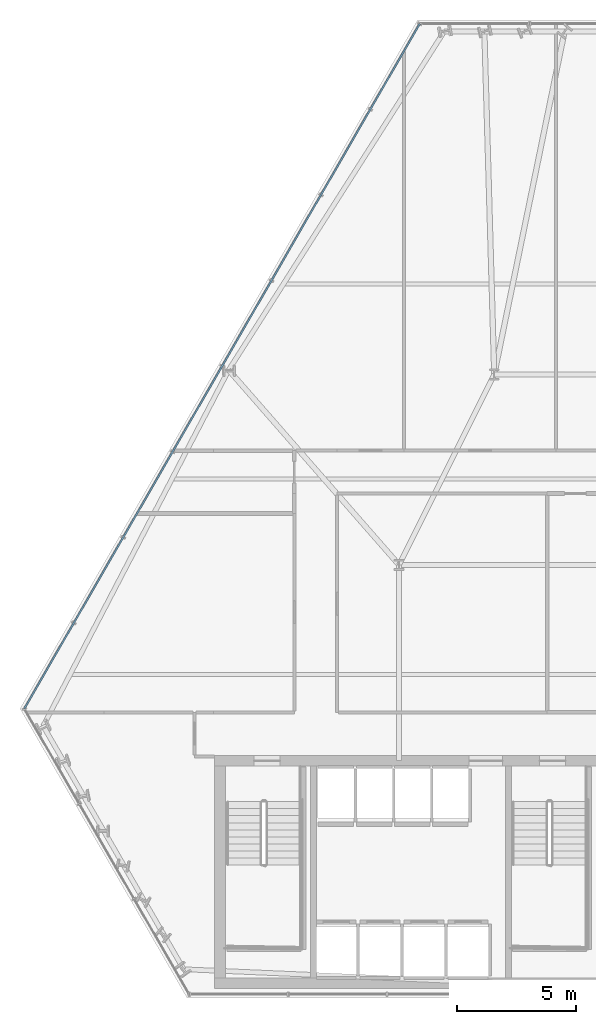
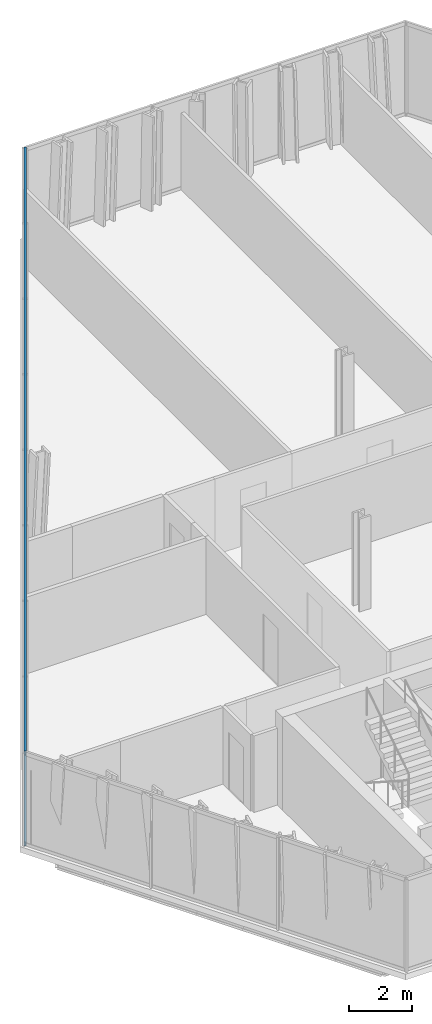
# One storey, part 14 of 32: 2 members, 1 element without a shape of its own.
"""IFC4 building model written with IfcOpenShell, lengths in metres."""

from ifc_helpers import new_model, si_unit, direction, frame, origin, origin_2d, place, context, subcontext, project, spatial, hollow_rectangle, extrude, material, layer, layer_set, material_profile, profile_set, type_object, element, aggregate, save


model = new_model("IFC4")

# Units and contexts
model_context = context("Model", 3, precision=1e-05, world=origin(), true_north=direction((0.0, 1.0)))
body_context = subcontext(model_context, "Body", "Model", "MODEL_VIEW")
ifc_project = project(units=[si_unit("LENGTHUNIT", "METRE"), si_unit("AREAUNIT", "SQUARE_METRE"), si_unit("VOLUMEUNIT", "CUBIC_METRE"), si_unit("PLANEANGLEUNIT", "RADIAN"), si_unit("MASSUNIT", "GRAM", prefix="KILO")], contexts=[model_context])

# Site, building, storey
site_placement = place(None, origin())
site = spatial("IfcSite", under=ifc_project, at=site_placement, CompositionType="ELEMENT")
building_placement = place(site_placement, origin())
building = spatial("IfcBuilding", under=site, at=building_placement, Name="Ndaravel Arena Tower", CompositionType="ELEMENT")
storey_placement = place(building_placement, frame((0.0, 0.0, 96.800048828125)))
storey = spatial("IfcBuildingStorey", under=building, at=storey_placement, Name="L22", CompositionType="ELEMENT", Elevation=96.800048828125)

# Curtain wall, members
ifc_material_1 = material(Name="Aluminium", Category="aluminium")
ifc_layer = layer(ifc_material_1, 0.179931640625)
ifc_layer_set = layer_set([ifc_layer], Name="Aluminium")
curtain_wall_type = type_object("IfcCurtainWallType", Name="CW-SYS-03", PredefinedType="NOTDEFINED", material=ifc_layer_set)
curtain_wall_placement = place(storey_placement, origin())
curtain_wall = element("IfcCurtainWall", 1, at=curtain_wall_placement, inside=storey, type_object=curtain_wall_type, Name="L22 Faceted Crystal Curtain Wall CW-L22-E05", PredefinedType="NOTDEFINED")
ifc_material_2 = material(Name="Aluminium", Category="aluminium")
ifc_material_profile = material_profile(ifc_material_2, hollow_rectangle(XDim=0.074951171875, YDim=0.14990234375, WallThickness=0.00390625, at=origin_2d()), Name="CW TRANSOM 75x150x4")
ifc_profile_set = profile_set([ifc_material_profile], Name="Aluminium")
member_type = type_object("IfcMemberType", Name="MEM-CW-TRN150", PredefinedType="USERDEFINED", material=ifc_profile_set)
member_1_placement = place(storey_placement, frame((35.0712890625, 45.93408203125, 0.0400390625), z_axis=(-0.499998934557, -0.866026018917, 0.0), x_axis=(0.866026018917, -0.499998934557, 0.0)))
member_1 = element("IfcMember", 2, at=member_1_placement, type_object=member_type, Name="CW-L22-E05 Transom 01", ObjectType="TRANSOM", PredefinedType="USERDEFINED", context=body_context, shape_type="SweptSolid", body=[
    extrude(hollow_rectangle(XDim=0.074951171875, YDim=0.14990234375, WallThickness=0.00390625, at=origin_2d()), origin(), (0.0, 0.0, 1.0), 33.224609375),
])
member_2_placement = place(storey_placement, frame((35.0712890625, 45.93408203125, 3.5400390625), z_axis=(-0.499998934557, -0.866026018917, 0.0), x_axis=(0.866026018917, -0.499998934557, 0.0)))
member_2 = element("IfcMember", 3, at=member_2_placement, type_object=member_type, Name="CW-L22-E05 Transom 02", ObjectType="TRANSOM", PredefinedType="USERDEFINED", context=body_context, shape_type="SweptSolid", body=[
    extrude(hollow_rectangle(XDim=0.074951171875, YDim=0.14990234375, WallThickness=0.00390625, at=origin_2d()), origin(), (0.0, 0.0, 1.0), 33.224609375),
])
aggregate(curtain_wall, [member_1, member_2])

save(model, "model.ifc")
